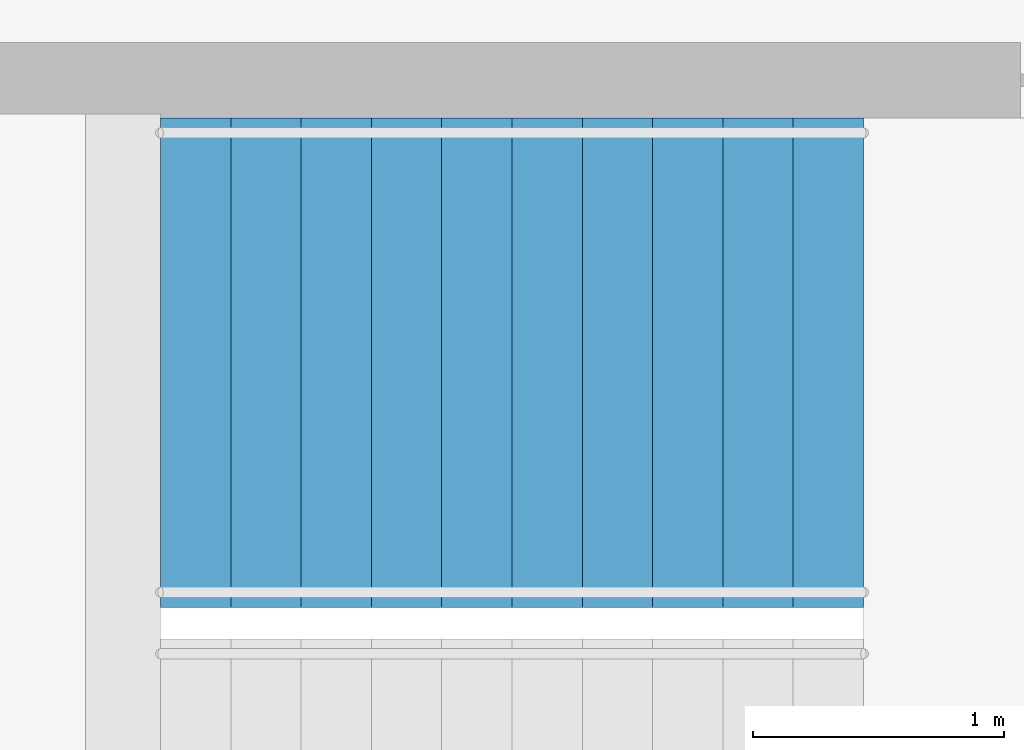
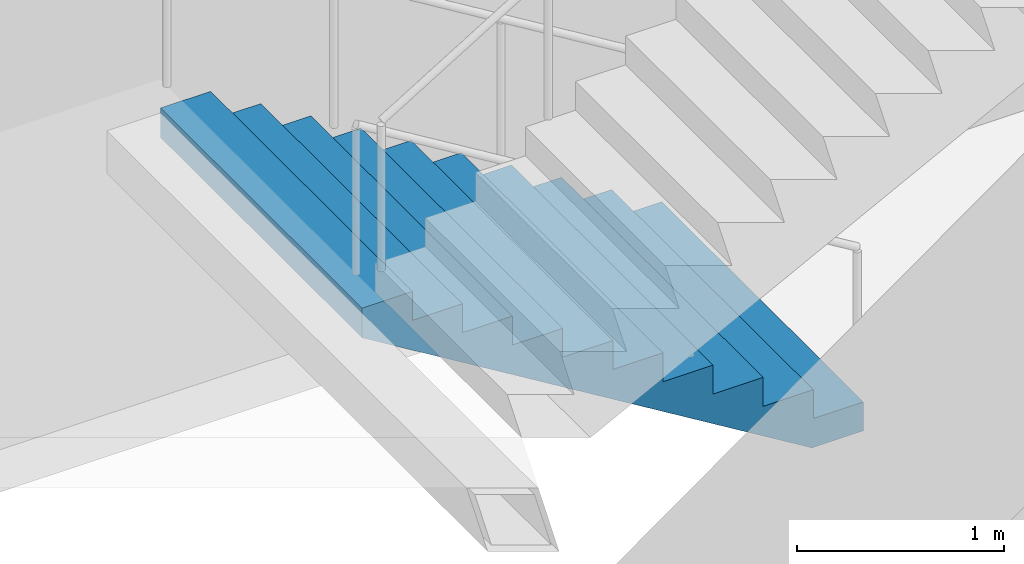
# One storey, part 21 of 22: 1 stair flight, 1 element without a shape of its own.
"""IFC4 building model written with IfcOpenShell, lengths in metres."""

from ifc_helpers import new_model, si_unit, direction, frame, origin, place, context, subcontext, project, spatial, triangles, material, type_object, element, aggregate, save


model = new_model("IFC4")

# Units and contexts
model_context = context("Model", 3, precision=1e-05, world=origin(), true_north=direction((0.0, 1.0)))
body_context = subcontext(model_context, "Body", "Model", "MODEL_VIEW")
ifc_project = project(units=[si_unit("LENGTHUNIT", "METRE"), si_unit("AREAUNIT", "SQUARE_METRE"), si_unit("VOLUMEUNIT", "CUBIC_METRE"), si_unit("PLANEANGLEUNIT", "RADIAN"), si_unit("MASSUNIT", "GRAM", prefix="KILO")], contexts=[model_context])

# Site, building, storey
site_placement = place(None, origin())
site = spatial("IfcSite", under=ifc_project, at=site_placement, CompositionType="ELEMENT")
building_placement = place(site_placement, origin())
building = spatial("IfcBuilding", under=site, at=building_placement, Name="Orbita Commons", CompositionType="ELEMENT")
storey_placement = place(building_placement, frame((0.0, 0.0, 152.35009765625)))
storey = spatial("IfcBuildingStorey", under=building, at=storey_placement, Name="L37", CompositionType="ELEMENT", Elevation=152.35009765625)

# Stair, stair flight
ifc_material_1 = material(Name="Precast concrete C40/50", Category="concrete")
stair_type = type_object("IfcStairType", Name="Exit stair S2 2 flights 11 risers 170", PredefinedType="HALF_TURN_STAIR", material=ifc_material_1)
stair_placement = place(storey_placement, origin())
stair = element("IfcStair", 1, at=stair_placement, inside=storey, type_object=stair_type, Name="Exit stair S2 L37", PredefinedType="HALF_TURN_STAIR")
ifc_material_2 = material(Name="Precast concrete C40/50", Category="concrete")
stair_flight_type = type_object("IfcStairFlightType", Name="Stair flight 11 risers 170 x 280", PredefinedType="STRAIGHT", material=ifc_material_2)
stair_flight_placement = place(storey_placement, frame((63.550048828125, 29.27490234375, 0.0), z_axis=(0.0, 0.0, 1.0), x_axis=(-1.0, 0.0, 0.0)))
stair_flight = element("IfcStairFlight", 2, at=stair_flight_placement, type_object=stair_flight_type, Name="S2 flight 1", NumberOfRisers=11, NumberOfTreads=10, PredefinedType="STRAIGHT", RiserHeight=0.170454545, TreadLength=0.28, context=body_context, shape_type="Tessellation", body=[
    triangles([(0.0, 0.974976, 0.0), (0.0, 0.974976, 0.021307), (0.0, 0.81248, 0.021307), (0.0, 0.81248, 0.0), (0.0, 0.649984, 0.021307), (0.0, 0.649984, 0.0), (0.0, 0.487488, 0.021307), (0.0, 0.487488, 0.0), (0.0, 0.324992, 0.021307), (0.0, 0.324992, 0.0), (0.0, 0.162496, 0.021307), (0.0, 0.162496, 0.0), (0.0, 0.0, 0.021307), (0.0, 0.0, 0.0), (0.0, -0.162496, 0.021307), (0.0, -0.162496, 0.0), (0.0, -0.324992, 0.021307), (0.0, -0.324992, 0.0), (0.0, -0.487488, 0.021307), (0.0, -0.487488, 0.0), (0.0, -0.649984, 0.021307), (0.0, -0.649984, 0.0), (0.0, -0.81248, 0.021307), (0.0, -0.81248, 0.0), (0.0, -0.974976, 0.021307), (0.0, -0.974976, 0.0), (0.0, 0.974976, 0.042614), (0.0, 0.81248, 0.042614), (0.0, 0.649984, 0.042614), (0.0, 0.487488, 0.042614), (0.0, 0.324992, 0.042614), (0.0, 0.162496, 0.042614), (0.0, 0.0, 0.042614), (0.0, -0.162496, 0.042614), (0.0, -0.324992, 0.042614), (0.0, -0.487488, 0.042614), (0.0, -0.649984, 0.042614), (0.0, -0.81248, 0.042614), (0.0, -0.974976, 0.042614), (0.0, 0.974976, 0.06392), (0.0, 0.81248, 0.06392), (0.0, 0.649984, 0.06392), (0.0, 0.487488, 0.06392), (0.0, 0.324992, 0.06392), (0.0, 0.162496, 0.06392), (0.0, 0.0, 0.06392), (0.0, -0.162496, 0.06392), (0.0, -0.324992, 0.06392), (0.0, -0.487488, 0.06392), (0.0, -0.649984, 0.06392), (0.0, -0.81248, 0.06392), (0.0, -0.974976, 0.06392), (0.0, 0.974976, 0.085227), (0.0, 0.81248, 0.085227), (0.0, 0.649984, 0.085227), (0.0, 0.487488, 0.085227), (0.0, 0.324992, 0.085227), (0.0, 0.162496, 0.085227), (0.0, 0.0, 0.085227), (0.0, -0.162496, 0.085227), (0.0, -0.324992, 0.085227), (0.0, -0.487488, 0.085227), (0.0, -0.649984, 0.085227), (0.0, -0.81248, 0.085227), (0.0, -0.974976, 0.085227), (0.0, 0.974976, 0.106534), (0.0, 0.81248, 0.106534), (0.0, 0.649984, 0.106534), (0.0, 0.487488, 0.106534), (0.0, 0.324992, 0.106534), (0.0, 0.162496, 0.106534), (0.0, 0.0, 0.106534), (0.0, -0.162496, 0.106534), (0.0, -0.324992, 0.106534), (0.0, -0.487488, 0.106534), (0.0, -0.649984, 0.106534), (0.0, -0.81248, 0.106534), (0.0, -0.974976, 0.106534), (0.0, 0.974976, 0.127841), (0.0, 0.81248, 0.127841), (0.0, 0.649984, 0.127841), (0.0, 0.487488, 0.127841), (0.0, 0.324992, 0.127841), (0.0, 0.162496, 0.127841), (0.0, 0.0, 0.127841), (0.0, -0.162496, 0.127841), (0.0, -0.324992, 0.127841), (0.0, -0.487488, 0.127841), (0.0, -0.649984, 0.127841), (0.0, -0.81248, 0.127841), (0.0, -0.974976, 0.127841), (0.0, 0.974976, 0.149148), (0.0, 0.81248, 0.149148), (0.0, 0.649984, 0.149148), (0.0, 0.487488, 0.149148), (0.0, 0.324992, 0.149148), (0.0, 0.162496, 0.149148), (0.0, 0.0, 0.149148), (0.0, -0.162496, 0.149148), (0.0, -0.324992, 0.149148), (0.0, -0.487488, 0.149148), (0.0, -0.649984, 0.149148), (0.0, -0.81248, 0.149148), (0.0, -0.974976, 0.149148), (0.0, 0.974976, 0.170455), (0.0, 0.81248, 0.170455), (0.0, 0.649984, 0.170455), (0.0, 0.487488, 0.170455), (0.0, 0.324992, 0.170455), (0.0, 0.162496, 0.170455), (0.0, 0.0, 0.170455), (0.0, -0.162496, 0.170455), (0.0, -0.324992, 0.170455), (0.0, -0.487488, 0.170455), (0.0, -0.649984, 0.170455), (0.0, -0.81248, 0.170455), (0.0, -0.974976, 0.170455), (0.28, 0.974976, 0.170455), (0.28, 0.81248, 0.170455), (0.28, 0.649984, 0.170455), (0.28, 0.487488, 0.170455), (0.28, 0.324992, 0.170455), (0.28, 0.162496, 0.170455), (0.28, 0.0, 0.170455), (0.28, -0.162496, 0.170455), (0.28, -0.324992, 0.170455), (0.28, -0.487488, 0.170455), (0.28, -0.649984, 0.170455), (0.28, -0.81248, 0.170455), (0.28, -0.974976, 0.170455), (0.28, 0.974976, 0.340909), (0.28, 0.81248, 0.340909), (0.28, 0.649984, 0.340909), (0.28, 0.487488, 0.340909), (0.28, 0.324992, 0.340909), (0.28, 0.162496, 0.340909), (0.28, 0.0, 0.340909), (0.28, -0.162496, 0.340909), (0.28, -0.324992, 0.340909), (0.28, -0.487488, 0.340909), (0.28, -0.649984, 0.340909), (0.28, -0.81248, 0.340909), (0.28, -0.974976, 0.340909), (0.56, 0.974976, 0.340909), (0.56, 0.81248, 0.340909), (0.56, 0.649984, 0.340909), (0.56, 0.487488, 0.340909), (0.56, 0.324992, 0.340909), (0.56, 0.162496, 0.340909), (0.56, 0.0, 0.340909), (0.56, -0.162496, 0.340909), (0.56, -0.324992, 0.340909), (0.56, -0.487488, 0.340909), (0.56, -0.649984, 0.340909), (0.56, -0.81248, 0.340909), (0.56, -0.974976, 0.340909), (0.56, 0.974976, 0.511364), (0.56, 0.81248, 0.511364), (0.56, 0.649984, 0.511364), (0.56, 0.487488, 0.511364), (0.56, 0.324992, 0.511364), (0.56, 0.162496, 0.511364), (0.56, 0.0, 0.511364), (0.56, -0.162496, 0.511364), (0.56, -0.324992, 0.511364), (0.56, -0.487488, 0.511364), (0.56, -0.649984, 0.511364), (0.56, -0.81248, 0.511364), (0.56, -0.974976, 0.511364), (0.84, 0.974976, 0.511364), (0.84, 0.81248, 0.511364), (0.84, 0.649984, 0.511364), (0.84, 0.487488, 0.511364), (0.84, 0.324992, 0.511364), (0.84, 0.162496, 0.511364), (0.84, 0.0, 0.511364), (0.84, -0.162496, 0.511364), (0.84, -0.324992, 0.511364), (0.84, -0.487488, 0.511364), (0.84, -0.649984, 0.511364), (0.84, -0.81248, 0.511364), (0.84, -0.974976, 0.511364), (0.84, 0.974976, 0.681818), (0.84, 0.81248, 0.681818), (0.84, 0.649984, 0.681818), (0.84, 0.487488, 0.681818), (0.84, 0.324992, 0.681818), (0.84, 0.162496, 0.681818), (0.84, 0.0, 0.681818), (0.84, -0.162496, 0.681818), (0.84, -0.324992, 0.681818), (0.84, -0.487488, 0.681818), (0.84, -0.649984, 0.681818), (0.84, -0.81248, 0.681818), (0.84, -0.974976, 0.681818), (1.12, 0.974976, 0.681818), (1.12, 0.81248, 0.681818), (1.12, 0.649984, 0.681818), (1.12, 0.487488, 0.681818), (1.12, 0.324992, 0.681818), (1.12, 0.162496, 0.681818), (1.12, 0.0, 0.681818), (1.12, -0.162496, 0.681818), (1.12, -0.324992, 0.681818), (1.12, -0.487488, 0.681818), (1.12, -0.649984, 0.681818), (1.12, -0.81248, 0.681818), (1.12, -0.974976, 0.681818), (1.12, 0.974976, 0.852273), (1.12, 0.81248, 0.852273), (1.12, 0.649984, 0.852273), (1.12, 0.487488, 0.852273), (1.12, 0.324992, 0.852273), (1.12, 0.162496, 0.852273), (1.12, 0.0, 0.852273), (1.12, -0.162496, 0.852273), (1.12, -0.324992, 0.852273), (1.12, -0.487488, 0.852273), (1.12, -0.649984, 0.852273), (1.12, -0.81248, 0.852273), (1.12, -0.974976, 0.852273), (1.4, 0.974976, 0.852273), (1.4, 0.81248, 0.852273), (1.4, 0.649984, 0.852273), (1.4, 0.487488, 0.852273), (1.4, 0.324992, 0.852273), (1.4, 0.162496, 0.852273), (1.4, 0.0, 0.852273), (1.4, -0.162496, 0.852273), (1.4, -0.324992, 0.852273), (1.4, -0.487488, 0.852273), (1.4, -0.649984, 0.852273), (1.4, -0.81248, 0.852273), (1.4, -0.974976, 0.852273), (1.4, 0.974976, 1.022727), (1.4, 0.81248, 1.022727), (1.4, 0.649984, 1.022727), (1.4, 0.487488, 1.022727), (1.4, 0.324992, 1.022727), (1.4, 0.162496, 1.022727), (1.4, 0.0, 1.022727), (1.4, -0.162496, 1.022727), (1.4, -0.324992, 1.022727), (1.4, -0.487488, 1.022727), (1.4, -0.649984, 1.022727), (1.4, -0.81248, 1.022727), (1.4, -0.974976, 1.022727), (1.68, 0.974976, 1.022727), (1.68, 0.81248, 1.022727), (1.68, 0.649984, 1.022727), (1.68, 0.487488, 1.022727), (1.68, 0.324992, 1.022727), (1.68, 0.162496, 1.022727), (1.68, 0.0, 1.022727), (1.68, -0.162496, 1.022727), (1.68, -0.324992, 1.022727), (1.68, -0.487488, 1.022727), (1.68, -0.649984, 1.022727), (1.68, -0.81248, 1.022727), (1.68, -0.974976, 1.022727), (1.68, 0.974976, 1.193182), (1.68, 0.81248, 1.193182), (1.68, 0.649984, 1.193182), (1.68, 0.487488, 1.193182), (1.68, 0.324992, 1.193182), (1.68, 0.162496, 1.193182), (1.68, 0.0, 1.193182), (1.68, -0.162496, 1.193182), (1.68, -0.324992, 1.193182), (1.68, -0.487488, 1.193182), (1.68, -0.649984, 1.193182), (1.68, -0.81248, 1.193182), (1.68, -0.974976, 1.193182), (1.96, 0.974976, 1.193182), (1.96, 0.81248, 1.193182), (1.96, 0.649984, 1.193182), (1.96, 0.487488, 1.193182), (1.96, 0.324992, 1.193182), (1.96, 0.162496, 1.193182), (1.96, 0.0, 1.193182), (1.96, -0.162496, 1.193182), (1.96, -0.324992, 1.193182), (1.96, -0.487488, 1.193182), (1.96, -0.649984, 1.193182), (1.96, -0.81248, 1.193182), (1.96, -0.974976, 1.193182), (1.96, 0.974976, 1.363636), (1.96, 0.81248, 1.363636), (1.96, 0.649984, 1.363636), (1.96, 0.487488, 1.363636), (1.96, 0.324992, 1.363636), (1.96, 0.162496, 1.363636), (1.96, 0.0, 1.363636), (1.96, -0.162496, 1.363636), (1.96, -0.324992, 1.363636), (1.96, -0.487488, 1.363636), (1.96, -0.649984, 1.363636), (1.96, -0.81248, 1.363636), (1.96, -0.974976, 1.363636), (2.24, 0.974976, 1.363636), (2.24, 0.81248, 1.363636), (2.24, 0.649984, 1.363636), (2.24, 0.487488, 1.363636), (2.24, 0.324992, 1.363636), (2.24, 0.162496, 1.363636), (2.24, 0.0, 1.363636), (2.24, -0.162496, 1.363636), (2.24, -0.324992, 1.363636), (2.24, -0.487488, 1.363636), (2.24, -0.649984, 1.363636), (2.24, -0.81248, 1.363636), (2.24, -0.974976, 1.363636), (2.24, 0.974976, 1.534091), (2.24, 0.81248, 1.534091), (2.24, 0.649984, 1.534091), (2.24, 0.487488, 1.534091), (2.24, 0.324992, 1.534091), (2.24, 0.162496, 1.534091), (2.24, 0.0, 1.534091), (2.24, -0.162496, 1.534091), (2.24, -0.324992, 1.534091), (2.24, -0.487488, 1.534091), (2.24, -0.649984, 1.534091), (2.24, -0.81248, 1.534091), (2.24, -0.974976, 1.534091), (2.52, 0.974976, 1.534091), (2.52, 0.81248, 1.534091), (2.52, 0.649984, 1.534091), (2.52, 0.487488, 1.534091), (2.52, 0.324992, 1.534091), (2.52, 0.162496, 1.534091), (2.52, 0.0, 1.534091), (2.52, -0.162496, 1.534091), (2.52, -0.324992, 1.534091), (2.52, -0.487488, 1.534091), (2.52, -0.649984, 1.534091), (2.52, -0.81248, 1.534091), (2.52, -0.974976, 1.534091), (2.52, 0.974976, 1.704545), (2.52, 0.81248, 1.704545), (2.52, 0.649984, 1.704545), (2.52, 0.487488, 1.704545), (2.52, 0.324992, 1.704545), (2.52, 0.162496, 1.704545), (2.52, 0.0, 1.704545), (2.52, -0.162496, 1.704545), (2.52, -0.324992, 1.704545), (2.52, -0.487488, 1.704545), (2.52, -0.649984, 1.704545), (2.52, -0.81248, 1.704545), (2.52, -0.974976, 1.704545), (2.8, 0.974976, 1.704545), (2.8, 0.81248, 1.704545), (2.8, 0.649984, 1.704545), (2.8, 0.487488, 1.704545), (2.8, 0.324992, 1.704545), (2.8, 0.162496, 1.704545), (2.8, 0.0, 1.704545), (2.8, -0.162496, 1.704545), (2.8, -0.324992, 1.704545), (2.8, -0.487488, 1.704545), (2.8, -0.649984, 1.704545), (2.8, -0.81248, 1.704545), (2.8, -0.974976, 1.704545), (2.8, 0.974976, 1.682609), (2.8, 0.81248, 1.682609), (2.8, 0.649984, 1.682609), (2.8, 0.487488, 1.682609), (2.8, 0.324992, 1.682609), (2.8, 0.162496, 1.682609), (2.8, 0.0, 1.682609), (2.8, -0.162496, 1.682609), (2.8, -0.324992, 1.682609), (2.8, -0.487488, 1.682609), (2.8, -0.649984, 1.682609), (2.8, -0.81248, 1.682609), (2.8, -0.974976, 1.682609), (2.8, 0.974976, 1.660672), (2.8, 0.81248, 1.660672), (2.8, 0.649984, 1.660672), (2.8, 0.487488, 1.660672), (2.8, 0.324992, 1.660672), (2.8, 0.162496, 1.660672), (2.8, 0.0, 1.660672), (2.8, -0.162496, 1.660672), (2.8, -0.324992, 1.660672), (2.8, -0.487488, 1.660672), (2.8, -0.649984, 1.660672), (2.8, -0.81248, 1.660672), (2.8, -0.974976, 1.660672), (2.8, 0.974976, 1.638735), (2.8, 0.81248, 1.638735), (2.8, 0.649984, 1.638735), (2.8, 0.487488, 1.638735), (2.8, 0.324992, 1.638735), (2.8, 0.162496, 1.638735), (2.8, 0.0, 1.638735), (2.8, -0.162496, 1.638735), (2.8, -0.324992, 1.638735), (2.8, -0.487488, 1.638735), (2.8, -0.649984, 1.638735), (2.8, -0.81248, 1.638735), (2.8, -0.974976, 1.638735), (2.8, 0.974976, 1.616798), (2.8, 0.81248, 1.616798), (2.8, 0.649984, 1.616798), (2.8, 0.487488, 1.616798), (2.8, 0.324992, 1.616798), (2.8, 0.162496, 1.616798), (2.8, 0.0, 1.616798), (2.8, -0.162496, 1.616798), (2.8, -0.324992, 1.616798), (2.8, -0.487488, 1.616798), (2.8, -0.649984, 1.616798), (2.8, -0.81248, 1.616798), (2.8, -0.974976, 1.616798), (2.8, 0.974976, 1.594861), (2.8, 0.81248, 1.594861), (2.8, 0.649984, 1.594861), (2.8, 0.487488, 1.594861), (2.8, 0.324992, 1.594861), (2.8, 0.162496, 1.594861), (2.8, 0.0, 1.594861), (2.8, -0.162496, 1.594861), (2.8, -0.324992, 1.594861), (2.8, -0.487488, 1.594861), (2.8, -0.649984, 1.594861), (2.8, -0.81248, 1.594861), (2.8, -0.974976, 1.594861), (2.8, 0.974976, 1.572925), (2.8, 0.81248, 1.572925), (2.8, 0.649984, 1.572925), (2.8, 0.487488, 1.572925), (2.8, 0.324992, 1.572925), (2.8, 0.162496, 1.572925), (2.8, 0.0, 1.572925), (2.8, -0.162496, 1.572925), (2.8, -0.324992, 1.572925), (2.8, -0.487488, 1.572925), (2.8, -0.649984, 1.572925), (2.8, -0.81248, 1.572925), (2.8, -0.974976, 1.572925), (2.8, 0.974976, 1.550988), (2.8, 0.81248, 1.550988), (2.8, 0.649984, 1.550988), (2.8, 0.487488, 1.550988), (2.8, 0.324992, 1.550988), (2.8, 0.162496, 1.550988), (2.8, 0.0, 1.550988), (2.8, -0.162496, 1.550988), (2.8, -0.324992, 1.550988), (2.8, -0.487488, 1.550988), (2.8, -0.649984, 1.550988), (2.8, -0.81248, 1.550988), (2.8, -0.974976, 1.550988), (2.8, 0.974976, 1.529051), (2.8, 0.81248, 1.529051), (2.8, 0.649984, 1.529051), (2.8, 0.487488, 1.529051), (2.8, 0.324992, 1.529051), (2.8, 0.162496, 1.529051), (2.8, 0.0, 1.529051), (2.8, -0.162496, 1.529051), (2.8, -0.324992, 1.529051), (2.8, -0.487488, 1.529051), (2.8, -0.649984, 1.529051), (2.8, -0.81248, 1.529051), (2.8, -0.974976, 1.529051), (0.288279, 0.974976, 0.0), (0.288279, 0.81248, 0.0), (0.288279, 0.649984, 0.0), (0.288279, 0.487488, 0.0), (0.288279, 0.324992, 0.0), (0.288279, 0.162496, 0.0), (0.288279, 0.0, 0.0), (0.288279, -0.162496, 0.0), (0.288279, -0.324992, 0.0), (0.288279, -0.487488, 0.0), (0.288279, -0.649984, 0.0), (0.288279, -0.81248, 0.0), (0.288279, -0.974976, 0.0)], [[3, 2, 1], [4, 3, 1], [5, 3, 4], [6, 5, 4], [7, 5, 6], [8, 7, 6], [9, 7, 8], [10, 9, 8], [11, 9, 10], [12, 11, 10], [13, 11, 12], [14, 13, 12], [15, 13, 14], [16, 15, 14], [17, 15, 16], [18, 17, 16], [19, 17, 18], [20, 19, 18], [21, 19, 20], [22, 21, 20], [23, 21, 22], [24, 23, 22], [25, 23, 24], [26, 25, 24], [28, 27, 2], [3, 28, 2], [29, 28, 3], [5, 29, 3], [30, 29, 5], [7, 30, 5], [31, 30, 7], [9, 31, 7], [32, 31, 9], [11, 32, 9], [33, 32, 11], [13, 33, 11], [34, 33, 13], [15, 34, 13], [35, 34, 15], [17, 35, 15], [36, 35, 17], [19, 36, 17], [37, 36, 19], [21, 37, 19], [38, 37, 21], [23, 38, 21], [39, 38, 23], [25, 39, 23], [41, 40, 27], [28, 41, 27], [42, 41, 28], [29, 42, 28], [43, 42, 29], [30, 43, 29], [44, 43, 30], [31, 44, 30], [45, 44, 31], [32, 45, 31], [46, 45, 32], [33, 46, 32], [47, 46, 33], [34, 47, 33], [48, 47, 34], [35, 48, 34], [49, 48, 35], [36, 49, 35], [50, 49, 36], [37, 50, 36], [51, 50, 37], [38, 51, 37], [52, 51, 38], [39, 52, 38], [54, 53, 40], [41, 54, 40], [55, 54, 41], [42, 55, 41], [56, 55, 42], [43, 56, 42], [57, 56, 43], [44, 57, 43], [58, 57, 44], [45, 58, 44], [59, 58, 45], [46, 59, 45], [60, 59, 46], [47, 60, 46], [61, 60, 47], [48, 61, 47], [62, 61, 48], [49, 62, 48], [63, 62, 49], [50, 63, 49], [64, 63, 50], [51, 64, 50], [65, 64, 51], [52, 65, 51], [67, 66, 53], [54, 67, 53], [68, 67, 54], [55, 68, 54], [69, 68, 55], [56, 69, 55], [70, 69, 56], [57, 70, 56], [71, 70, 57], [58, 71, 57], [72, 71, 58], [59, 72, 58], [73, 72, 59], [60, 73, 59], [74, 73, 60], [61, 74, 60], [75, 74, 61], [62, 75, 61], [76, 75, 62], [63, 76, 62], [77, 76, 63], [64, 77, 63], [78, 77, 64], [65, 78, 64], [80, 79, 66], [67, 80, 66], [81, 80, 67], [68, 81, 67], [82, 81, 68], [69, 82, 68], [83, 82, 69], [70, 83, 69], [84, 83, 70], [71, 84, 70], [85, 84, 71], [72, 85, 71], [86, 85, 72], [73, 86, 72], [87, 86, 73], [74, 87, 73], [88, 87, 74], [75, 88, 74], [89, 88, 75], [76, 89, 75], [90, 89, 76], [77, 90, 76], [91, 90, 77], [78, 91, 77], [93, 92, 79], [80, 93, 79], [94, 93, 80], [81, 94, 80], [95, 94, 81], [82, 95, 81], [96, 95, 82], [83, 96, 82], [97, 96, 83], [84, 97, 83], [98, 97, 84], [85, 98, 84], [99, 98, 85], [86, 99, 85], [100, 99, 86], [87, 100, 86], [101, 100, 87], [88, 101, 87], [102, 101, 88], [89, 102, 88], [103, 102, 89], [90, 103, 89], [104, 103, 90], [91, 104, 90], [106, 105, 92], [93, 106, 92], [107, 106, 93], [94, 107, 93], [108, 107, 94], [95, 108, 94], [109, 108, 95], [96, 109, 95], [110, 109, 96], [97, 110, 96], [111, 110, 97], [98, 111, 97], [112, 111, 98], [99, 112, 98], [113, 112, 99], [100, 113, 99], [114, 113, 100], [101, 114, 100], [115, 114, 101], [102, 115, 101], [116, 115, 102], [103, 116, 102], [117, 116, 103], [104, 117, 103], [119, 118, 105], [106, 119, 105], [120, 119, 106], [107, 120, 106], [121, 120, 107], [108, 121, 107], [122, 121, 108], [109, 122, 108], [123, 122, 109], [110, 123, 109], [124, 123, 110], [111, 124, 110], [125, 124, 111], [112, 125, 111], [126, 125, 112], [113, 126, 112], [127, 126, 113], [114, 127, 113], [128, 127, 114], [115, 128, 114], [129, 128, 115], [116, 129, 115], [130, 129, 116], [117, 130, 116], [132, 131, 118], [119, 132, 118], [133, 132, 119], [120, 133, 119], [134, 133, 120], [121, 134, 120], [135, 134, 121], [122, 135, 121], [136, 135, 122], [123, 136, 122], [137, 136, 123], [124, 137, 123], [138, 137, 124], [125, 138, 124], [139, 138, 125], [126, 139, 125], [140, 139, 126], [127, 140, 126], [141, 140, 127], [128, 141, 127], [142, 141, 128], [129, 142, 128], [143, 142, 129], [130, 143, 129], [145, 144, 131], [132, 145, 131], [146, 145, 132], [133, 146, 132], [147, 146, 133], [134, 147, 133], [148, 147, 134], [135, 148, 134], [149, 148, 135], [136, 149, 135], [150, 149, 136], [137, 150, 136], [151, 150, 137], [138, 151, 137], [152, 151, 138], [139, 152, 138], [153, 152, 139], [140, 153, 139], [154, 153, 140], [141, 154, 140], [155, 154, 141], [142, 155, 141], [156, 155, 142], [143, 156, 142], [158, 157, 144], [145, 158, 144], [159, 158, 145], [146, 159, 145], [160, 159, 146], [147, 160, 146], [161, 160, 147], [148, 161, 147], [162, 161, 148], [149, 162, 148], [163, 162, 149], [150, 163, 149], [164, 163, 150], [151, 164, 150], [165, 164, 151], [152, 165, 151], [166, 165, 152], [153, 166, 152], [167, 166, 153], [154, 167, 153], [168, 167, 154], [155, 168, 154], [169, 168, 155], [156, 169, 155], [171, 170, 157], [158, 171, 157], [172, 171, 158], [159, 172, 158], [173, 172, 159], [160, 173, 159], [174, 173, 160], [161, 174, 160], [175, 174, 161], [162, 175, 161], [176, 175, 162], [163, 176, 162], [177, 176, 163], [164, 177, 163], [178, 177, 164], [165, 178, 164], [179, 178, 165], [166, 179, 165], [180, 179, 166], [167, 180, 166], [181, 180, 167], [168, 181, 167], [182, 181, 168], [169, 182, 168], [184, 183, 170], [171, 184, 170], [185, 184, 171], [172, 185, 171], [186, 185, 172], [173, 186, 172], [187, 186, 173], [174, 187, 173], [188, 187, 174], [175, 188, 174], [189, 188, 175], [176, 189, 175], [190, 189, 176], [177, 190, 176], [191, 190, 177], [178, 191, 177], [192, 191, 178], [179, 192, 178], [193, 192, 179], [180, 193, 179], [194, 193, 180], [181, 194, 180], [195, 194, 181], [182, 195, 181], [197, 196, 183], [184, 197, 183], [198, 197, 184], [185, 198, 184], [199, 198, 185], [186, 199, 185], [200, 199, 186], [187, 200, 186], [201, 200, 187], [188, 201, 187], [202, 201, 188], [189, 202, 188], [203, 202, 189], [190, 203, 189], [204, 203, 190], [191, 204, 190], [205, 204, 191], [192, 205, 191], [206, 205, 192], [193, 206, 192], [207, 206, 193], [194, 207, 193], [208, 207, 194], [195, 208, 194], [210, 209, 196], [197, 210, 196], [211, 210, 197], [198, 211, 197], [212, 211, 198], [199, 212, 198], [213, 212, 199], [200, 213, 199], [214, 213, 200], [201, 214, 200], [215, 214, 201], [202, 215, 201], [216, 215, 202], [203, 216, 202], [217, 216, 203], [204, 217, 203], [218, 217, 204], [205, 218, 204], [219, 218, 205], [206, 219, 205], [220, 219, 206], [207, 220, 206], [221, 220, 207], [208, 221, 207], [223, 222, 209], [210, 223, 209], [224, 223, 210], [211, 224, 210], [225, 224, 211], [212, 225, 211], [226, 225, 212], [213, 226, 212], [227, 226, 213], [214, 227, 213], [228, 227, 214], [215, 228, 214], [229, 228, 215], [216, 229, 215], [230, 229, 216], [217, 230, 216], [231, 230, 217], [218, 231, 217], [232, 231, 218], [219, 232, 218], [233, 232, 219], [220, 233, 219], [234, 233, 220], [221, 234, 220], [236, 235, 222], [223, 236, 222], [237, 236, 223], [224, 237, 223], [238, 237, 224], [225, 238, 224], [239, 238, 225], [226, 239, 225], [240, 239, 226], [227, 240, 226], [241, 240, 227], [228, 241, 227], [242, 241, 228], [229, 242, 228], [243, 242, 229], [230, 243, 229], [244, 243, 230], [231, 244, 230], [245, 244, 231], [232, 245, 231], [246, 245, 232], [233, 246, 232], [247, 246, 233], [234, 247, 233], [249, 248, 235], [236, 249, 235], [250, 249, 236], [237, 250, 236], [251, 250, 237], [238, 251, 237], [252, 251, 238], [239, 252, 238], [253, 252, 239], [240, 253, 239], [254, 253, 240], [241, 254, 240], [255, 254, 241], [242, 255, 241], [256, 255, 242], [243, 256, 242], [257, 256, 243], [244, 257, 243], [258, 257, 244], [245, 258, 244], [259, 258, 245], [246, 259, 245], [260, 259, 246], [247, 260, 246], [262, 261, 248], [249, 262, 248], [263, 262, 249], [250, 263, 249], [264, 263, 250], [251, 264, 250], [265, 264, 251], [252, 265, 251], [266, 265, 252], [253, 266, 252], [267, 266, 253], [254, 267, 253], [268, 267, 254], [255, 268, 254], [269, 268, 255], [256, 269, 255], [270, 269, 256], [257, 270, 256], [271, 270, 257], [258, 271, 257], [272, 271, 258], [259, 272, 258], [273, 272, 259], [260, 273, 259], [275, 274, 261], [262, 275, 261], [276, 275, 262], [263, 276, 262], [277, 276, 263], [264, 277, 263], [278, 277, 264], [265, 278, 264], [279, 278, 265], [266, 279, 265], [280, 279, 266], [267, 280, 266], [281, 280, 267], [268, 281, 267], [282, 281, 268], [269, 282, 268], [283, 282, 269], [270, 283, 269], [284, 283, 270], [271, 284, 270], [285, 284, 271], [272, 285, 271], [286, 285, 272], [273, 286, 272], [288, 287, 274], [275, 288, 274], [289, 288, 275], [276, 289, 275], [290, 289, 276], [277, 290, 276], [291, 290, 277], [278, 291, 277], [292, 291, 278], [279, 292, 278], [293, 292, 279], [280, 293, 279], [294, 293, 280], [281, 294, 280], [295, 294, 281], [282, 295, 281], [296, 295, 282], [283, 296, 282], [297, 296, 283], [284, 297, 283], [298, 297, 284], [285, 298, 284], [299, 298, 285], [286, 299, 285], [301, 300, 287], [288, 301, 287], [302, 301, 288], [289, 302, 288], [303, 302, 289], [290, 303, 289], [304, 303, 290], [291, 304, 290], [305, 304, 291], [292, 305, 291], [306, 305, 292], [293, 306, 292], [307, 306, 293], [294, 307, 293], [308, 307, 294], [295, 308, 294], [309, 308, 295], [296, 309, 295], [310, 309, 296], [297, 310, 296], [311, 310, 297], [298, 311, 297], [312, 311, 298], [299, 312, 298], [314, 313, 300], [301, 314, 300], [315, 314, 301], [302, 315, 301], [316, 315, 302], [303, 316, 302], [317, 316, 303], [304, 317, 303], [318, 317, 304], [305, 318, 304], [319, 318, 305], [306, 319, 305], [320, 319, 306], [307, 320, 306], [321, 320, 307], [308, 321, 307], [322, 321, 308], [309, 322, 308], [323, 322, 309], [310, 323, 309], [324, 323, 310], [311, 324, 310], [325, 324, 311], [312, 325, 311], [327, 326, 313], [314, 327, 313], [328, 327, 314], [315, 328, 314], [329, 328, 315], [316, 329, 315], [330, 329, 316], [317, 330, 316], [331, 330, 317], [318, 331, 317], [332, 331, 318], [319, 332, 318], [333, 332, 319], [320, 333, 319], [334, 333, 320], [321, 334, 320], [335, 334, 321], [322, 335, 321], [336, 335, 322], [323, 336, 322], [337, 336, 323], [324, 337, 323], [338, 337, 324], [325, 338, 324], [340, 339, 326], [327, 340, 326], [341, 340, 327], [328, 341, 327], [342, 341, 328], [329, 342, 328], [343, 342, 329], [330, 343, 329], [344, 343, 330], [331, 344, 330], [345, 344, 331], [332, 345, 331], [346, 345, 332], [333, 346, 332], [347, 346, 333], [334, 347, 333], [348, 347, 334], [335, 348, 334], [349, 348, 335], [336, 349, 335], [350, 349, 336], [337, 350, 336], [351, 350, 337], [338, 351, 337], [353, 352, 339], [340, 353, 339], [354, 353, 340], [341, 354, 340], [355, 354, 341], [342, 355, 341], [356, 355, 342], [343, 356, 342], [357, 356, 343], [344, 357, 343], [358, 357, 344], [345, 358, 344], [359, 358, 345], [346, 359, 345], [360, 359, 346], [347, 360, 346], [361, 360, 347], [348, 361, 347], [362, 361, 348], [349, 362, 348], [363, 362, 349], [350, 363, 349], [364, 363, 350], [351, 364, 350], [366, 365, 352], [353, 366, 352], [367, 366, 353], [354, 367, 353], [368, 367, 354], [355, 368, 354], [369, 368, 355], [356, 369, 355], [370, 369, 356], [357, 370, 356], [371, 370, 357], [358, 371, 357], [372, 371, 358], [359, 372, 358], [373, 372, 359], [360, 373, 359], [374, 373, 360], [361, 374, 360], [375, 374, 361], [362, 375, 361], [376, 375, 362], [363, 376, 362], [377, 376, 363], [364, 377, 363], [379, 378, 365], [366, 379, 365], [380, 379, 366], [367, 380, 366], [381, 380, 367], [368, 381, 367], [382, 381, 368], [369, 382, 368], [383, 382, 369], [370, 383, 369], [384, 383, 370], [371, 384, 370], [385, 384, 371], [372, 385, 371], [386, 385, 372], [373, 386, 372], [387, 386, 373], [374, 387, 373], [388, 387, 374], [375, 388, 374], [389, 388, 375], [376, 389, 375], [390, 389, 376], [377, 390, 376], [392, 391, 378], [379, 392, 378], [393, 392, 379], [380, 393, 379], [394, 393, 380], [381, 394, 380], [395, 394, 381], [382, 395, 381], [396, 395, 382], [383, 396, 382], [397, 396, 383], [384, 397, 383], [398, 397, 384], [385, 398, 384], [399, 398, 385], [386, 399, 385], [400, 399, 386], [387, 400, 386], [401, 400, 387], [388, 401, 387], [402, 401, 388], [389, 402, 388], [403, 402, 389], [390, 403, 389], [405, 404, 391], [392, 405, 391], [406, 405, 392], [393, 406, 392], [407, 406, 393], [394, 407, 393], [408, 407, 394], [395, 408, 394], [409, 408, 395], [396, 409, 395], [410, 409, 396], [397, 410, 396], [411, 410, 397], [398, 411, 397], [412, 411, 398], [399, 412, 398], [413, 412, 399], [400, 413, 399], [414, 413, 400], [401, 414, 400], [415, 414, 401], [402, 415, 401], [416, 415, 402], [403, 416, 402], [418, 417, 404], [405, 418, 404], [419, 418, 405], [406, 419, 405], [420, 419, 406], [407, 420, 406], [421, 420, 407], [408, 421, 407], [422, 421, 408], [409, 422, 408], [423, 422, 409], [410, 423, 409], [424, 423, 410], [411, 424, 410], [425, 424, 411], [412, 425, 411], [426, 425, 412], [413, 426, 412], [427, 426, 413], [414, 427, 413], [428, 427, 414], [415, 428, 414], [429, 428, 415], [416, 429, 415], [431, 430, 417], [418, 431, 417], [432, 431, 418], [419, 432, 418], [433, 432, 419], [420, 433, 419], [434, 433, 420], [421, 434, 420], [435, 434, 421], [422, 435, 421], [436, 435, 422], [423, 436, 422], [437, 436, 423], [424, 437, 423], [438, 437, 424], [425, 438, 424], [439, 438, 425], [426, 439, 425], [440, 439, 426], [427, 440, 426], [441, 440, 427], [428, 441, 427], [442, 441, 428], [429, 442, 428], [444, 443, 430], [431, 444, 430], [445, 444, 431], [432, 445, 431], [446, 445, 432], [433, 446, 432], [447, 446, 433], [434, 447, 433], [448, 447, 434], [435, 448, 434], [449, 448, 435], [436, 449, 435], [450, 449, 436], [437, 450, 436], [451, 450, 437], [438, 451, 437], [452, 451, 438], [439, 452, 438], [453, 452, 439], [440, 453, 439], [454, 453, 440], [441, 454, 440], [455, 454, 441], [442, 455, 441], [457, 456, 443], [444, 457, 443], [458, 457, 444], [445, 458, 444], [459, 458, 445], [446, 459, 445], [460, 459, 446], [447, 460, 446], [461, 460, 447], [448, 461, 447], [462, 461, 448], [449, 462, 448], [463, 462, 449], [450, 463, 449], [464, 463, 450], [451, 464, 450], [465, 464, 451], [452, 465, 451], [466, 465, 452], [453, 466, 452], [467, 466, 453], [454, 467, 453], [468, 467, 454], [455, 468, 454], [470, 469, 456], [457, 470, 456], [471, 470, 457], [458, 471, 457], [472, 471, 458], [459, 472, 458], [473, 472, 459], [460, 473, 459], [474, 473, 460], [461, 474, 460], [475, 474, 461], [462, 475, 461], [476, 475, 462], [463, 476, 462], [477, 476, 463], [464, 477, 463], [478, 477, 464], [465, 478, 464], [479, 478, 465], [466, 479, 465], [480, 479, 466], [467, 480, 466], [481, 480, 467], [468, 481, 467], [4, 1, 469], [470, 4, 469], [6, 4, 470], [471, 6, 470], [8, 6, 471], [472, 8, 471], [10, 8, 472], [473, 10, 472], [12, 10, 473], [474, 12, 473], [14, 12, 474], [475, 14, 474], [16, 14, 475], [476, 16, 475], [18, 16, 476], [477, 18, 476], [20, 18, 477], [478, 20, 477], [22, 20, 478], [479, 22, 478], [24, 22, 479], [480, 24, 479], [26, 24, 480], [481, 26, 480], [456, 469, 1], [26, 481, 468], [443, 456, 1], [26, 468, 455], [430, 443, 1], [26, 455, 442], [417, 430, 1], [26, 442, 429], [404, 417, 1], [26, 429, 416], [391, 404, 1], [26, 416, 403], [378, 391, 1], [26, 403, 390], [365, 378, 1], [26, 390, 377], [339, 352, 365], [377, 364, 351], [326, 339, 365], [377, 351, 338], [300, 313, 326], [338, 325, 312], [300, 326, 365], [377, 338, 312], [274, 287, 300], [312, 299, 286], [274, 300, 365], [377, 312, 286], [248, 261, 274], [286, 273, 260], [248, 274, 365], [377, 286, 260], [222, 235, 248], [260, 247, 234], [222, 248, 365], [377, 260, 234], [196, 209, 222], [234, 221, 208], [196, 222, 365], [377, 234, 208], [170, 183, 196], [208, 195, 182], [170, 196, 365], [377, 208, 182], [144, 157, 170], [182, 169, 156], [144, 170, 365], [377, 182, 156], [118, 131, 144], [156, 143, 130], [118, 144, 365], [377, 156, 130], [118, 365, 1], [26, 377, 130], [92, 105, 118], [130, 117, 104], [79, 92, 118], [130, 104, 91], [66, 79, 118], [130, 91, 78], [53, 66, 118], [130, 78, 65], [40, 53, 118], [130, 65, 52], [27, 40, 118], [130, 52, 39], [2, 27, 118], [130, 39, 25], [1, 2, 118], [130, 25, 26]], closed=True),
])
aggregate(stair, [stair_flight])

save(model, "model.ifc")
